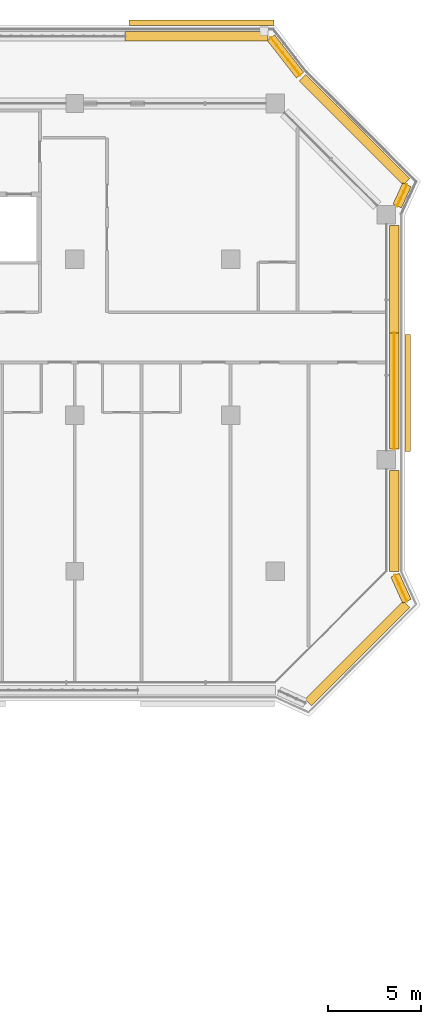
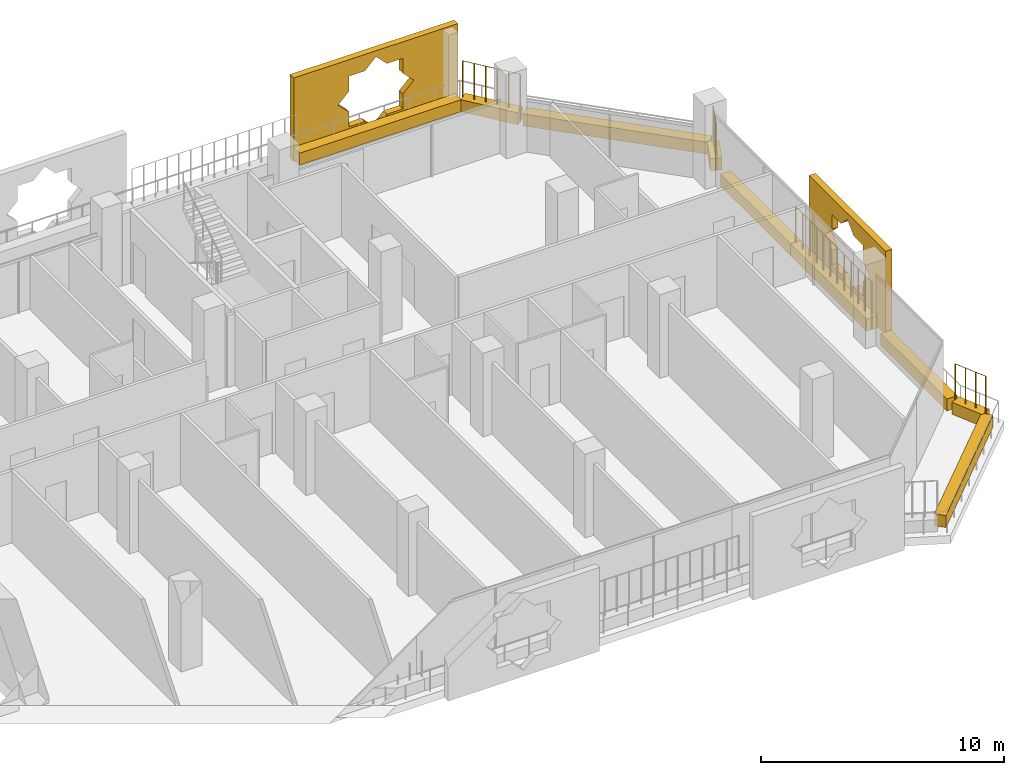
# One storey, part 21 of 21: 11 coverings, 4 railings.
"""IFC4 building model written with IfcOpenShell, lengths in metres."""

from ifc_helpers import new_model, si_unit, direction, frame, origin, origin_2d, place, context, subcontext, project, spatial, polyline, rectangle, circle, outline, extrude, material, material_profile, profile_set, type_object, element, save


model = new_model("IFC4")

# Units and contexts
model_context = context("Model", 3, precision=1e-05, world=origin(), true_north=direction((0.0, 1.0)))
body_context = subcontext(model_context, "Body", "Model", "MODEL_VIEW")
ifc_project = project(units=[si_unit("LENGTHUNIT", "METRE"), si_unit("AREAUNIT", "SQUARE_METRE"), si_unit("VOLUMEUNIT", "CUBIC_METRE"), si_unit("PLANEANGLEUNIT", "RADIAN"), si_unit("MASSUNIT", "GRAM", prefix="KILO")], contexts=[model_context])

# Site, building, storey
site_placement = place(None, origin())
site = spatial("IfcSite", under=ifc_project, at=site_placement, CompositionType="ELEMENT")
building_placement = place(site_placement, origin())
building = spatial("IfcBuilding", under=site, at=building_placement, Name="Kawkab Arch Medical Tower", CompositionType="ELEMENT")
storey_placement = place(building_placement, frame((0.0, 0.0, 192.0)))
storey = spatial("IfcBuildingStorey", under=building, at=storey_placement, Name="L44", CompositionType="ELEMENT", Elevation=192.0)

# Coverings
ifc_material_1 = material(Name="Bronze anodised aluminium mashrabiya panel, eight-point star pattern", Category="aluminium")
ifc_material_profile_1 = material_profile(ifc_material_1, outline(polyline([(-3.14990234375, -2.10009765625), (3.14990234375, -2.10009765625), (3.14990234375, 2.10009765625), (-3.14990234375, 2.10009765625), (-3.14990234375, -2.10009765625)]), holes=[polyline([(1.800048828125, 0.0), (1.272705078125, 0.527099609375), (1.272705078125, 1.272705078125), (0.527099609375, 1.272705078125), (0.0, 1.800048828125), (-0.527099609375, 1.272705078125), (-1.272705078125, 1.272705078125), (-1.272705078125, 0.527099609375), (-1.800048828125, 0.0), (-1.272705078125, -0.527099609375), (-1.272705078125, -1.272705078125), (-0.527099609375, -1.272705078125), (0.0, -1.800048828125), (0.527099609375, -1.272705078125), (1.272705078125, -1.272705078125), (1.272705078125, -0.527099609375), (1.800048828125, 0.0)])]), Name="Mashrabiya panel 6300x4200")
ifc_profile_set_1 = profile_set([ifc_material_profile_1], Name="Bronze anodised aluminium mashrabiya panel, eight-point star pattern")
covering_type_1 = type_object("IfcCoveringType", Name="Mashrabiya panel 6300 x 4200", PredefinedType="USERDEFINED", material=ifc_profile_set_1)
covering_1_placement = place(storey_placement, frame((68.199951171875, -15.60009765625, 1.699951171875), z_axis=(1.0, 0.0, 0.0), x_axis=(0.0, 1.0, 0.0)))
element("IfcCovering", 1, at=covering_1_placement, inside=storey, type_object=covering_type_1, Name="Mashrabiya panel L44.LOG-01-01.9", ObjectType="SCREEN", PredefinedType="USERDEFINED", context=body_context, shape_type="SweptSolid", body=[
    extrude(outline(polyline([(-3.14990234375, -2.10009765625), (3.14990234375, -2.10009765625), (3.14990234375, 2.10009765625), (-3.14990234375, 2.10009765625), (-3.14990234375, -2.10009765625)]), holes=[polyline([(1.800048828125, 0.0), (1.272705078125, 0.527099609375), (1.272705078125, 1.272705078125), (0.527099609375, 1.272705078125), (0.0, 1.800048828125), (-0.527099609375, 1.272705078125), (-1.272705078125, 1.272705078125), (-1.272705078125, 0.527099609375), (-1.800048828125, 0.0), (-1.272705078125, -0.527099609375), (-1.272705078125, -1.272705078125), (-0.527099609375, -1.272705078125), (0.0, -1.800048828125), (0.527099609375, -1.272705078125), (1.272705078125, -1.272705078125), (1.272705078125, -0.527099609375), (1.800048828125, 0.0)])]), origin(), (0.0, 0.0, 1.0), 0.300048828125),
])
ifc_material_2 = material(Name="Bronze anodised aluminium mashrabiya panel, eight-point star pattern", Category="aluminium")
ifc_material_profile_2 = material_profile(ifc_material_2, outline(polyline([(-3.89990234375, -2.10009765625), (3.89990234375, -2.10009765625), (3.89990234375, 2.10009765625), (-3.89990234375, 2.10009765625), (-3.89990234375, -2.10009765625)]), holes=[polyline([(1.800048828125, 0.0), (1.272705078125, 0.527099609375), (1.272705078125, 1.272705078125), (0.527099609375, 1.272705078125), (0.0, 1.800048828125), (-0.527099609375, 1.272705078125), (-1.272705078125, 1.272705078125), (-1.272705078125, 0.527099609375), (-1.800048828125, 0.0), (-1.272705078125, -0.527099609375), (-1.272705078125, -1.272705078125), (-0.527099609375, -1.272705078125), (0.0, -1.800048828125), (0.527099609375, -1.272705078125), (1.272705078125, -1.272705078125), (1.272705078125, -0.527099609375), (1.800048828125, 0.0)])]), Name="Mashrabiya panel 7800x4200")
ifc_profile_set_2 = profile_set([ifc_material_profile_2], Name="Bronze anodised aluminium mashrabiya panel, eight-point star pattern")
covering_type_2 = type_object("IfcCoveringType", Name="Mashrabiya panel 7800 x 4200", PredefinedType="USERDEFINED", material=ifc_profile_set_2)
covering_2_placement = place(storey_placement, frame((57.23291015625, 4.199951171875, 1.699951171875), z_axis=(0.0, 1.0, 0.0), x_axis=(-1.0, 0.0, 0.0)))
element("IfcCovering", 2, at=covering_2_placement, inside=storey, type_object=covering_type_2, Name="Mashrabiya panel L44.LOG-01-01.8", ObjectType="SCREEN", PredefinedType="USERDEFINED", context=body_context, shape_type="SweptSolid", body=[
    extrude(outline(polyline([(-3.89990234375, -2.10009765625), (3.89990234375, -2.10009765625), (3.89990234375, 2.10009765625), (-3.89990234375, 2.10009765625), (-3.89990234375, -2.10009765625)]), holes=[polyline([(1.800048828125, 0.0), (1.272705078125, 0.527099609375), (1.272705078125, 1.272705078125), (0.527099609375, 1.272705078125), (0.0, 1.800048828125), (-0.527099609375, 1.272705078125), (-1.272705078125, 1.272705078125), (-1.272705078125, 0.527099609375), (-1.800048828125, 0.0), (-1.272705078125, -0.527099609375), (-1.272705078125, -1.272705078125), (-0.527099609375, -1.272705078125), (0.0, -1.800048828125), (0.527099609375, -1.272705078125), (1.272705078125, -1.272705078125), (1.272705078125, -0.527099609375), (1.800048828125, 0.0)])]), origin(), (0.0, 0.0, 1.0), 0.300048828125),
])
ifc_material_3 = material(Name="Planting soil in a precast trough", Category="concrete")
ifc_material_profile_3 = material_profile(ifc_material_3, rectangle(XDim=0.5, YDim=0.60009765625, at=origin_2d()), Name="Trough 500x600")
ifc_profile_set_3 = profile_set([ifc_material_profile_3], Name="Planting soil in a precast trough")
covering_type_3 = type_object("IfcCoveringType", Name="Planter trough 500 x 600", PredefinedType="USERDEFINED", material=ifc_profile_set_3)
covering_3_placement = place(storey_placement, frame((53.112060546875, 3.6201171875, 0.300048828125), z_axis=(1.0, 0.0, 0.0), x_axis=(0.0, 1.0, 0.0)))
element("IfcCovering", 3, at=covering_3_placement, inside=storey, type_object=covering_type_3, Name="Planter L44.LOG-01-01.24", ObjectType="PLANTER", PredefinedType="USERDEFINED", context=body_context, shape_type="SweptSolid", body=[
    extrude(rectangle(XDim=0.5, YDim=0.60009765625, at=origin_2d()), origin(), (0.0, 0.0, 1.0), 7.703857421875),
])
covering_4_placement = place(storey_placement, frame((60.97802734375, 3.541015625, 0.300048828125), z_axis=(0.61404021143, -0.789274742246, 0.0), x_axis=(0.789274742246, 0.61404021143, 0.0)))
element("IfcCovering", 4, at=covering_4_placement, inside=storey, type_object=covering_type_3, Name="Planter L44.LOG-01-01.25", ObjectType="PLANTER", PredefinedType="USERDEFINED", context=body_context, shape_type="SweptSolid", body=[
    extrude(rectangle(XDim=0.5, YDim=0.60009765625, at=origin_2d()), origin(), (0.0, 0.0, 1.0), 2.54541015625),
])
covering_5_placement = place(storey_placement, frame((62.673095703125, 1.383056640625, 0.300048828125), z_axis=(0.707091367247, -0.70712219479, 0.0), x_axis=(0.70712219479, 0.707091367247, 0.0)))
element("IfcCovering", 5, at=covering_5_placement, inside=storey, type_object=covering_type_3, Name="Planter L44.LOG-01-01.26", ObjectType="PLANTER", PredefinedType="USERDEFINED", context=body_context, shape_type="SweptSolid", body=[
    extrude(rectangle(XDim=0.5, YDim=0.60009765625, at=origin_2d()), origin(), (0.0, 0.0, 1.0), 7.919677734375),
])
covering_6_placement = place(storey_placement, frame((68.302001953125, -4.37890625, 0.300048828125), z_axis=(-0.415089762627, -0.909780461959, 0.0), x_axis=(0.909780461959, -0.415089762627, 0.0)))
element("IfcCovering", 6, at=covering_6_placement, inside=storey, type_object=covering_type_3, Name="Planter L44.LOG-01-01.27", ObjectType="PLANTER", PredefinedType="USERDEFINED", context=body_context, shape_type="SweptSolid", body=[
    extrude(rectangle(XDim=0.5, YDim=0.60009765625, at=origin_2d()), origin(), (0.0, 0.0, 1.0), 1.257568359375),
])
covering_7_placement = place(storey_placement, frame((67.6201171875, -6.580078125, 0.300048828125), z_axis=(0.0, -1.0, 0.0), x_axis=(1.0, 0.0, 0.0)))
element("IfcCovering", 7, at=covering_7_placement, inside=storey, type_object=covering_type_3, Name="Planter L44.LOG-01-01.28", ObjectType="PLANTER", PredefinedType="USERDEFINED", context=body_context, shape_type="SweptSolid", body=[
    extrude(rectangle(XDim=0.5, YDim=0.60009765625, at=origin_2d()), origin(), (0.0, 0.0, 1.0), 5.77783203125),
])
covering_8_placement = place(storey_placement, frame((67.6201171875, -12.35791015625, 0.300048828125), z_axis=(0.0, -1.0, 0.0), x_axis=(1.0, 0.0, 0.0)))
element("IfcCovering", 8, at=covering_8_placement, inside=storey, type_object=covering_type_3, Name="Planter L44.LOG-01-01.29", ObjectType="PLANTER", PredefinedType="USERDEFINED", context=body_context, shape_type="SweptSolid", body=[
    extrude(rectangle(XDim=0.5, YDim=0.60009765625, at=origin_2d()), origin(), (0.0, 0.0, 1.0), 6.26220703125),
])
covering_9_placement = place(storey_placement, frame((67.6201171875, -19.780029296875, 0.300048828125), z_axis=(0.0, -1.0, 0.0), x_axis=(1.0, 0.0, 0.0)))
element("IfcCovering", 9, at=covering_9_placement, inside=storey, type_object=covering_type_3, Name="Planter L44.LOG-01-01.30", ObjectType="PLANTER", PredefinedType="USERDEFINED", context=body_context, shape_type="SweptSolid", body=[
    extrude(rectangle(XDim=0.5, YDim=0.60009765625, at=origin_2d()), origin(), (0.0, 0.0, 1.0), 5.446044921875),
])
covering_10_placement = place(storey_placement, frame((67.660888671875, -25.4169921875, 0.300048828125), z_axis=(0.415363486165, -0.909655525109, 0.0), x_axis=(0.909655525109, 0.415363486165, 0.0)))
element("IfcCovering", 10, at=covering_10_placement, inside=storey, type_object=covering_type_3, Name="Planter L44.LOG-01-01.31", ObjectType="PLANTER", PredefinedType="USERDEFINED", context=body_context, shape_type="SweptSolid", body=[
    extrude(rectangle(XDim=0.5, YDim=0.60009765625, at=origin_2d()), origin(), (0.0, 0.0, 1.0), 1.54345703125),
])
covering_11_placement = place(storey_placement, frame((68.27294921875, -26.98291015625, 0.300048828125), z_axis=(-0.707106781187, -0.707106781187, 0.0), x_axis=(0.707106781187, -0.707106781187, 0.0)))
element("IfcCovering", 11, at=covering_11_placement, inside=storey, type_object=covering_type_3, Name="Planter L44.LOG-01-01.32", ObjectType="PLANTER", PredefinedType="USERDEFINED", context=body_context, shape_type="SweptSolid", body=[
    extrude(rectangle(XDim=0.5, YDim=0.60009765625, at=origin_2d()), origin(), (0.0, 0.0, 1.0), 7.481201171875),
])

# Railings
ifc_material_4 = material(Name="Bronze anodised aluminium trellis for climbing plants", Category="aluminium")
railing_type = type_object("IfcRailingType", Name="Planting trellis 2400", PredefinedType="USERDEFINED", material=ifc_material_4)
railing_1_placement = place(storey_placement, frame((60.97802734375, 3.541015625, 0.0)))
element("IfcRailing", 12, at=railing_1_placement, inside=storey, type_object=railing_type, Name="Planting trellis L44.LOG-01-01.25", ObjectType="TRELLIS", PredefinedType="USERDEFINED", context=body_context, shape_type="SweptSolid", body=[
    extrude(circle(Radius=0.01513671875, at=origin_2d()), frame((0.0, 0.0, 2.384765625), z_axis=(0.61404021143, -0.789274742246, 0.0), x_axis=(0.789274742246, 0.61404021143, 0.0)), (0.0, 0.0, 1.0), 2.54541015625),
    extrude(circle(Radius=0.030029296875, at=origin_2d()), origin(), (0.0, 0.0, 1.0), 2.369873046875),
    extrude(circle(Radius=0.030029296875, at=origin_2d()), frame((0.3125, -0.40185546875, 0.0)), (0.0, 0.0, 1.0), 2.369873046875),
    extrude(circle(Radius=0.030029296875, at=origin_2d()), frame((0.625244140625, -0.8037109375, 0.0)), (0.0, 0.0, 1.0), 2.369873046875),
    extrude(circle(Radius=0.030029296875, at=origin_2d()), frame((0.937744140625, -1.205322265625, 0.0)), (0.0, 0.0, 1.0), 2.369873046875),
    extrude(circle(Radius=0.030029296875, at=origin_2d()), frame((1.25048828125, -1.607177734375, 0.0)), (0.0, 0.0, 1.0), 2.369873046875),
    extrude(circle(Radius=0.030029296875, at=origin_2d()), frame((1.56298828125, -2.009033203125, 0.0)), (0.0, 0.0, 1.0), 2.369873046875),
])
railing_2_placement = place(storey_placement, frame((68.302001953125, -4.37890625, 0.0)))
element("IfcRailing", 13, at=railing_2_placement, inside=storey, type_object=railing_type, Name="Planting trellis L44.LOG-01-01.27", ObjectType="TRELLIS", PredefinedType="USERDEFINED", context=body_context, shape_type="SweptSolid", body=[
    extrude(circle(Radius=0.01513671875, at=origin_2d()), frame((0.0, 0.0, 2.384765625), z_axis=(-0.415089762627, -0.909780461959, 0.0), x_axis=(0.909780461959, -0.415089762627, 0.0)), (0.0, 0.0, 1.0), 1.257568359375),
    extrude(circle(Radius=0.030029296875, at=origin_2d()), origin(), (0.0, 0.0, 1.0), 2.369873046875),
    extrude(circle(Radius=0.030029296875, at=origin_2d()), frame((-0.174072265625, -0.38134765625, 0.0)), (0.0, 0.0, 1.0), 2.369873046875),
    extrude(circle(Radius=0.030029296875, at=origin_2d()), frame((-0.347900390625, -0.7626953125, 0.0)), (0.0, 0.0, 1.0), 2.369873046875),
    extrude(circle(Radius=0.030029296875, at=origin_2d()), frame((-0.52197265625, -1.14404296875, 0.0)), (0.0, 0.0, 1.0), 2.369873046875),
])
railing_3_placement = place(storey_placement, frame((67.6201171875, -12.35791015625, 0.0)))
element("IfcRailing", 14, at=railing_3_placement, inside=storey, type_object=railing_type, Name="Planting trellis L44.LOG-01-01.29", ObjectType="TRELLIS", PredefinedType="USERDEFINED", context=body_context, shape_type="SweptSolid", body=[
    extrude(circle(Radius=0.01513671875, at=origin_2d()), frame((0.0, 0.0, 2.384765625), z_axis=(0.0, -1.0, 0.0), x_axis=(1.0, 0.0, 0.0)), (0.0, 0.0, 1.0), 6.26220703125),
    extrude(circle(Radius=0.030029296875, at=origin_2d()), origin(), (0.0, 0.0, 1.0), 2.369873046875),
    extrude(circle(Radius=0.030029296875, at=origin_2d()), frame((0.0, -0.5693359375, 0.0)), (0.0, 0.0, 1.0), 2.369873046875),
    extrude(circle(Radius=0.030029296875, at=origin_2d()), frame((0.0, -1.138671875, 0.0)), (0.0, 0.0, 1.0), 2.369873046875),
    extrude(circle(Radius=0.030029296875, at=origin_2d()), frame((0.0, -1.707763671875, 0.0)), (0.0, 0.0, 1.0), 2.369873046875),
    extrude(circle(Radius=0.030029296875, at=origin_2d()), frame((0.0, -2.277099609375, 0.0)), (0.0, 0.0, 1.0), 2.369873046875),
    extrude(circle(Radius=0.030029296875, at=origin_2d()), frame((0.0, -2.846435546875, 0.0)), (0.0, 0.0, 1.0), 2.369873046875),
    extrude(circle(Radius=0.030029296875, at=origin_2d()), frame((0.0, -3.415771484375, 0.0)), (0.0, 0.0, 1.0), 2.369873046875),
    extrude(circle(Radius=0.030029296875, at=origin_2d()), frame((0.0, -3.985107421875, 0.0)), (0.0, 0.0, 1.0), 2.369873046875),
    extrude(circle(Radius=0.030029296875, at=origin_2d()), frame((0.0, -4.554443359375, 0.0)), (0.0, 0.0, 1.0), 2.369873046875),
    extrude(circle(Radius=0.030029296875, at=origin_2d()), frame((0.0, -5.12353515625, 0.0)), (0.0, 0.0, 1.0), 2.369873046875),
    extrude(circle(Radius=0.030029296875, at=origin_2d()), frame((0.0, -5.69287109375, 0.0)), (0.0, 0.0, 1.0), 2.369873046875),
    extrude(circle(Radius=0.030029296875, at=origin_2d()), frame((0.0, -6.26220703125, 0.0)), (0.0, 0.0, 1.0), 2.369873046875),
])
railing_4_placement = place(storey_placement, frame((67.660888671875, -25.4169921875, 0.0)))
element("IfcRailing", 15, at=railing_4_placement, inside=storey, type_object=railing_type, Name="Planting trellis L44.LOG-01-01.31", ObjectType="TRELLIS", PredefinedType="USERDEFINED", context=body_context, shape_type="SweptSolid", body=[
    extrude(circle(Radius=0.01513671875, at=origin_2d()), frame((0.0, 0.0, 2.384765625), z_axis=(0.415363486165, -0.909655525109, 0.0), x_axis=(0.909655525109, 0.415363486165, 0.0)), (0.0, 0.0, 1.0), 1.54345703125),
    extrude(circle(Radius=0.030029296875, at=origin_2d()), origin(), (0.0, 0.0, 1.0), 2.369873046875),
    extrude(circle(Radius=0.030029296875, at=origin_2d()), frame((0.213623046875, -0.468017578125, 0.0)), (0.0, 0.0, 1.0), 2.369873046875),
    extrude(circle(Radius=0.030029296875, at=origin_2d()), frame((0.427490234375, -0.93603515625, 0.0)), (0.0, 0.0, 1.0), 2.369873046875),
    extrude(circle(Radius=0.030029296875, at=origin_2d()), frame((0.64111328125, -1.404052734375, 0.0)), (0.0, 0.0, 1.0), 2.369873046875),
])

save(model, "model.ifc")
